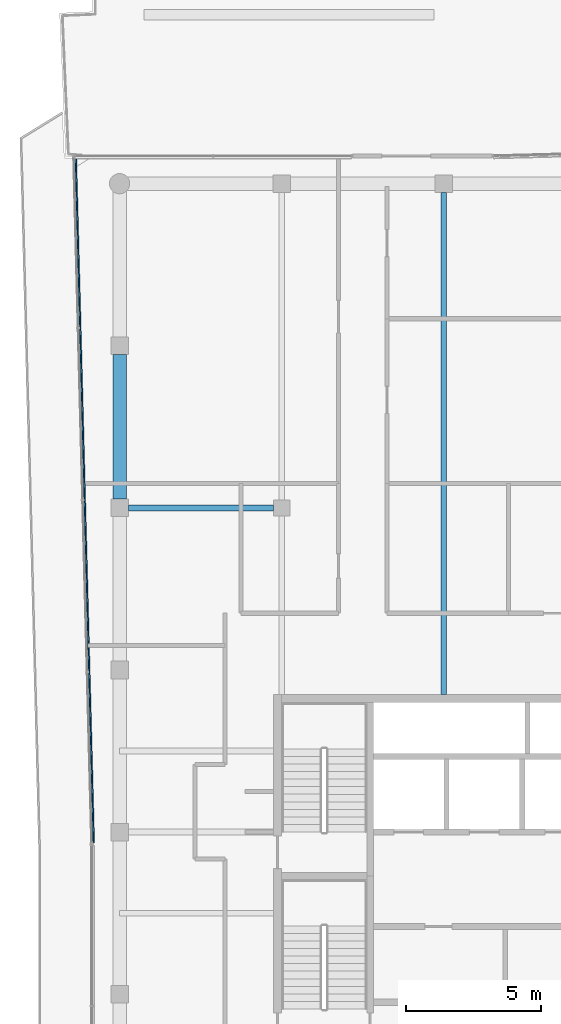
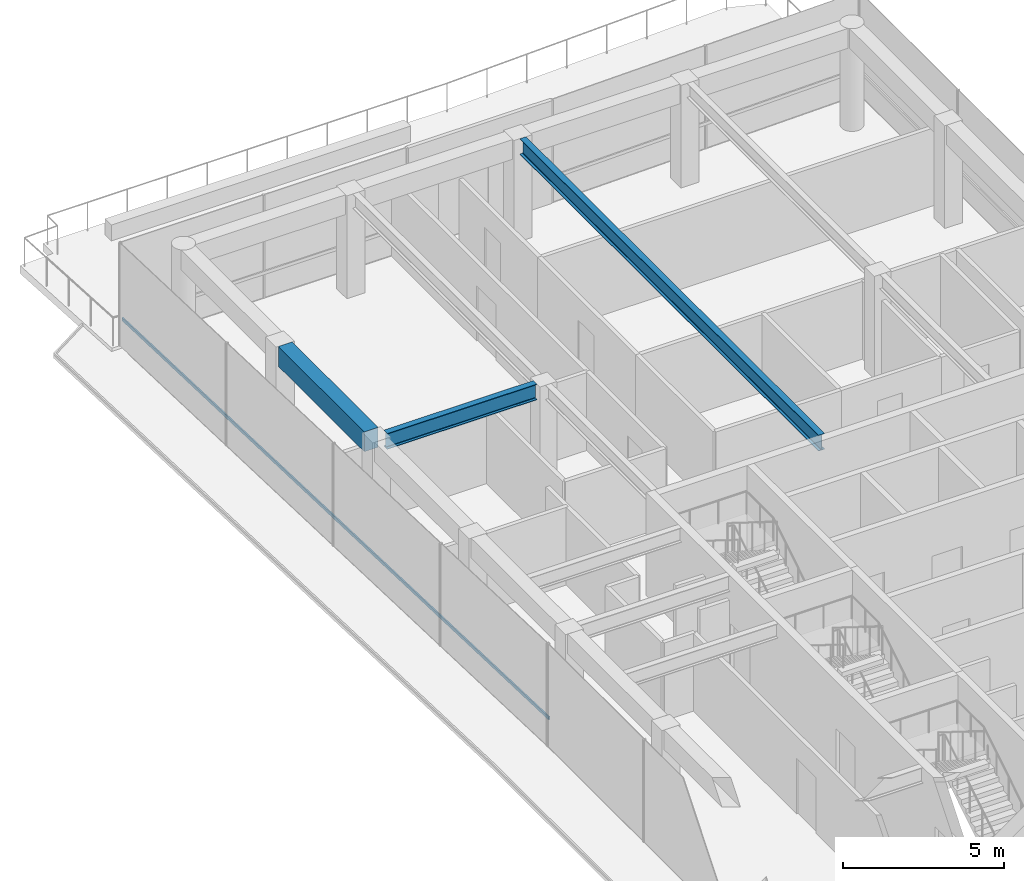
# One storey, part 8 of 20: 3 beams, 1 member, 1 element without a shape of its own.
"""IFC4 building model written with IfcOpenShell, lengths in metres."""

from ifc_helpers import new_model, si_unit, direction, frame, origin, origin_2d, place, context, subcontext, project, spatial, rectangle, i_section, extrude, material, layer, layer_set, material_profile, profile_set, type_object, element, aggregate, save


model = new_model("IFC4")

# Units and contexts
model_context = context("Model", 3, precision=1e-05, world=origin(), true_north=direction((0.0, 1.0)))
body_context = subcontext(model_context, "Body", "Model", "MODEL_VIEW")
ifc_project = project(units=[si_unit("LENGTHUNIT", "METRE"), si_unit("AREAUNIT", "SQUARE_METRE"), si_unit("VOLUMEUNIT", "CUBIC_METRE"), si_unit("PLANEANGLEUNIT", "RADIAN"), si_unit("MASSUNIT", "GRAM", prefix="KILO")], contexts=[model_context])

# Site, building, storey
site_placement = place(None, origin())
site = spatial("IfcSite", under=ifc_project, at=site_placement, CompositionType="ELEMENT")
building_placement = place(site_placement, origin())
building = spatial("IfcBuilding", under=site, at=building_placement, Name="Welwitschia Terrace Campus", CompositionType="ELEMENT")
storey_placement = place(building_placement, frame((0.0, 0.0, 327.199951171875)))
storey = spatial("IfcBuildingStorey", under=building, at=storey_placement, Name="L73", CompositionType="ELEMENT", Elevation=327.199951171875)

# Beams
ifc_material_1 = material(Name="Steel S355", Category="steel")
ifc_material_profile_1 = material_profile(ifc_material_1, i_section(OverallWidth=0.219970703125, OverallDepth=0.60009765625, WebThickness=0.011962890625, FlangeThickness=0.01904296875, FilletRadius=0.02392578125, at=origin_2d()))
ifc_profile_set_1 = profile_set([ifc_material_profile_1], Name="Steel S355")
beam_type_1 = type_object("IfcBeamType", Name="Primary beam IPE 600", PredefinedType="BEAM", material=ifc_profile_set_1)
beam_1_placement = place(storey_placement, frame((12.0, 43.674560546875, 3.60009765625), z_axis=(0.0, -1.0, 0.0), x_axis=(1.0, 0.0, 0.0)))
element("IfcBeam", 1, at=beam_1_placement, inside=storey, type_object=beam_type_1, Name="Primary beam PB7", PredefinedType="BEAM", context=body_context, shape_type="SweptSolid", body=[
    extrude(i_section(OverallWidth=0.219970703125, OverallDepth=0.60009765625, WebThickness=0.011962890625, FlangeThickness=0.01904296875, FilletRadius=0.02392578125, at=origin_2d()), origin(), (0.0, 0.0, 1.0), 18.574462890625),
])
beam_2_placement = place(storey_placement, frame((0.325439453125, 32.0, 3.60009765625), z_axis=(1.0, 0.0, 0.0), x_axis=(0.0, 1.0, 0.0)))
element("IfcBeam", 2, at=beam_2_placement, inside=storey, type_object=beam_type_1, Name="Primary beam PB7", PredefinedType="BEAM", context=body_context, shape_type="SweptSolid", body=[
    extrude(i_section(OverallWidth=0.219970703125, OverallDepth=0.60009765625, WebThickness=0.011962890625, FlangeThickness=0.01904296875, FilletRadius=0.02392578125, at=origin_2d()), origin(), (0.0, 0.0, 1.0), 5.3740234375),
])
ifc_material_2 = material(Name="Concrete C40/50", Category="concrete")
ifc_material_profile_2 = material_profile(ifc_material_2, rectangle(XDim=0.5, YDim=0.75, at=origin_2d()))
ifc_profile_set_2 = profile_set([ifc_material_profile_2], Name="Concrete C40/50")
beam_type_2 = type_object("IfcBeamType", Name="Ring spandrel 500x750", PredefinedType="SPANDREL", material=ifc_profile_set_2)
beam_3_placement = place(storey_placement, frame((0.0, 37.674560546875, 3.525146484375), z_axis=(0.0, -1.0, 0.0), x_axis=(1.0, 0.0, 0.0)))
element("IfcBeam", 3, at=beam_3_placement, inside=storey, type_object=beam_type_2, Name="Spandrel SP5", PredefinedType="SPANDREL", context=body_context, shape_type="SweptSolid", body=[
    extrude(rectangle(XDim=0.5, YDim=0.75, at=origin_2d()), origin(), (0.0, 0.0, 1.0), 5.34912109375),
])

# Curtain wall, member
ifc_material_3 = material(Name="Bronze anodised aluminium", Category="aluminium")
ifc_layer = layer(ifc_material_3, 0.10009765625)
ifc_layer_set = layer_set([ifc_layer], Name="Bronze anodised aluminium")
curtain_wall_type = type_object("IfcCurtainWallType", Name="Curtain wall CW5 crown 6000", PredefinedType="NOTDEFINED", material=ifc_layer_set)
curtain_wall_placement = place(storey_placement, origin())
curtain_wall = element("IfcCurtainWall", 4, at=curtain_wall_placement, inside=storey, type_object=curtain_wall_type, Name="CW L73.10.0", PredefinedType="NOTDEFINED")
ifc_material_4 = material(Name="Bronze anodised aluminium", Category="aluminium")
ifc_material_profile_3 = material_profile(ifc_material_4, rectangle(XDim=0.050048828125, YDim=0.1201171875, at=origin_2d()))
ifc_profile_set_3 = profile_set([ifc_material_profile_3], Name="Bronze anodised aluminium")
member_type = type_object("IfcMemberType", Name="Transom 50x120", PredefinedType="USERDEFINED", material=ifc_profile_set_3)
member_placement = place(storey_placement, frame((-1.620849609375, 44.98193359375, 1.0), z_axis=(0.026174680162, -0.999657384366, 0.0), x_axis=(0.999657384366, 0.026174680162, 0.0)))
member = element("IfcMember", 5, at=member_placement, type_object=member_type, Name="Transom L73.10.0", ObjectType="TRANSOM", PredefinedType="USERDEFINED", context=body_context, shape_type="SweptSolid", body=[
    extrude(rectangle(XDim=0.050048828125, YDim=0.1201171875, at=origin_2d()), origin(), (0.0, 0.0, 1.0), 25.38916015625),
])
aggregate(curtain_wall, [member])

save(model, "model.ifc")
